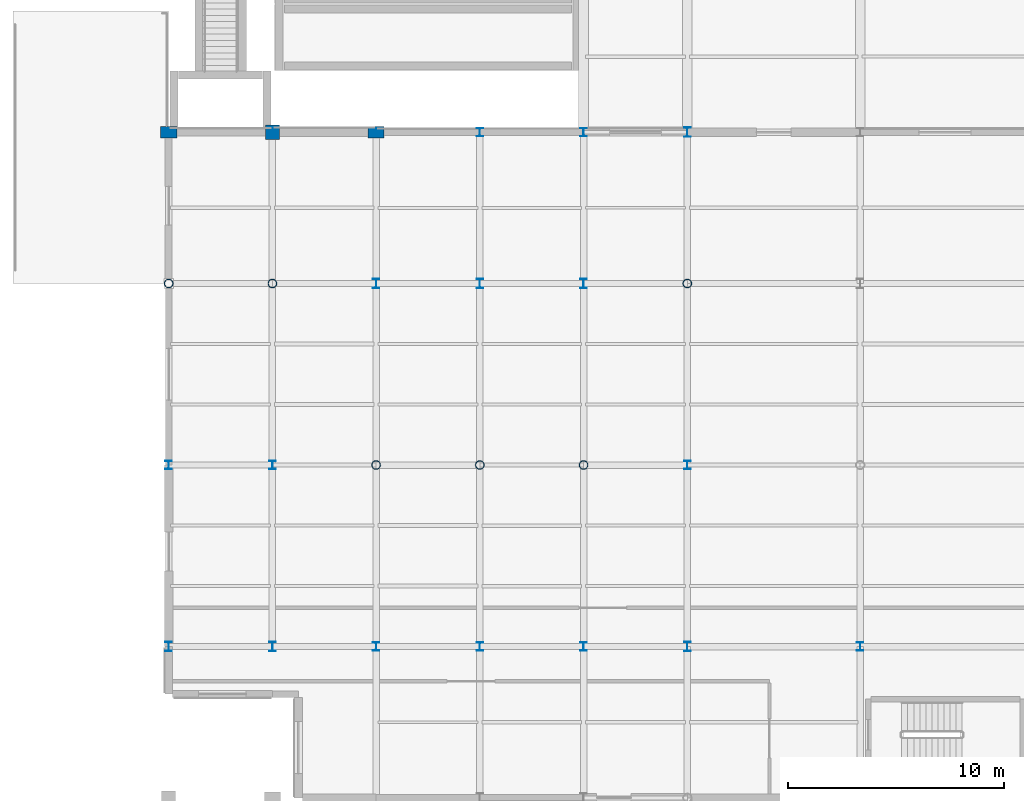
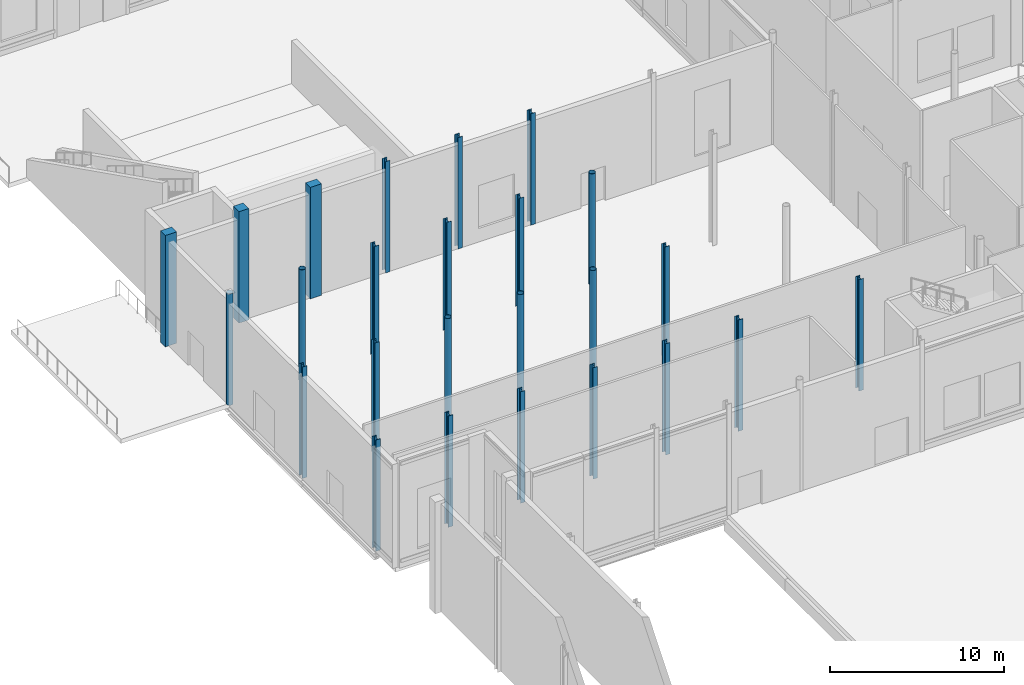
# One storey, part 8 of 176: 25 columns.
"""IFC4 building model written with IfcOpenShell, lengths in metres."""

from ifc_helpers import new_model, si_unit, direction, frame, origin, origin_2d, place, context, subcontext, project, spatial, rectangle, hollow_circle, i_section, extrude, material, material_profile, profile_set, type_object, element, save


model = new_model("IFC4")

# Units and contexts
model_context = context("Model", 3, precision=1e-05, world=origin(), true_north=direction((0.0, 1.0)))
body_context = subcontext(model_context, "Body", "Model", "MODEL_VIEW")
ifc_project = project(units=[si_unit("LENGTHUNIT", "METRE"), si_unit("AREAUNIT", "SQUARE_METRE"), si_unit("VOLUMEUNIT", "CUBIC_METRE"), si_unit("PLANEANGLEUNIT", "RADIAN"), si_unit("MASSUNIT", "GRAM", prefix="KILO")], contexts=[model_context])

# Site, building, storey
site_placement = place(None, origin())
site = spatial("IfcSite", under=ifc_project, at=site_placement, CompositionType="ELEMENT")
building_placement = place(site_placement, origin())
building = spatial("IfcBuilding", under=site, at=building_placement, Name="Vekula Escarpment Museum", CompositionType="ELEMENT")
storey_placement = place(building_placement, origin())
storey = spatial("IfcBuildingStorey", under=building, at=storey_placement, Name="L01", CompositionType="ELEMENT", Elevation=0.0)

# Columns
ifc_material_1 = material(Name="Steel S355", Category="steel")
ifc_material_profile_1 = material_profile(ifc_material_1, hollow_circle(Radius=0.203125, WallThickness=0.02001953125, at=origin_2d()), Name="CHS 406.4x20")
ifc_profile_set_1 = profile_set([ifc_material_profile_1], Name="Steel S355")
column_type_1 = type_object("IfcColumnType", Name="COL-S-CHS406", PredefinedType="COLUMN", material=ifc_profile_set_1)
for number, where, z_axis, x_axis, name in (
    (1, (0.0, 76.39990234375, 0.0), (0.0, 0.0, 1.0), (1.0, 0.0, 0.0), "Column L01 (0.0,76.4)"),
    (2, (4.800048828125, 76.39990234375, 0.0), (0.0, 0.0, 1.0), (1.0, 0.0, 0.0), "Column L01 (4.8,76.4)"),
    (3, (9.60009765625, 68.0, 0.0), (0.0, 0.0, 1.0), (1.0, 0.0, 0.0), "Column L01 (9.6,68.0)"),
    (4, (14.39990234375, 68.0, 0.0), (0.0, 0.0, 1.0), (1.0, 0.0, 0.0), "Column L01 (14.4,68.0)"),
    (5, (19.199951171875, 68.0, 0.0), (0.0, 0.0, 1.0), (1.0, 0.0, 0.0), "Column L01 (19.2,68.0)"),
    (6, (24.0, 76.39990234375, 0.0), (0.0, 0.0, 1.0), (1.0, 0.0, 0.0), "Column L01 (24.0,76.4)"),
):
    element("IfcColumn", number, at=place(storey_placement, frame(where, z_axis=z_axis, x_axis=x_axis)), inside=storey, type_object=column_type_1, Name=name, PredefinedType="COLUMN", context=body_context, shape_type="SweptSolid", body=[
        extrude(hollow_circle(Radius=0.203125, WallThickness=0.02001953125, at=origin_2d()), origin(), (0.0, 0.0, 1.0), 7.800048828125),
    ])
ifc_material_2 = material(Name="Steel S355", Category="steel")
ifc_material_profile_2 = material_profile(ifc_material_2, i_section(OverallWidth=0.300048828125, OverallDepth=0.389892578125, WebThickness=0.010986328125, FlangeThickness=0.01904296875, FilletRadius=0.027099609375, at=origin_2d()), Name="HEA 400")
ifc_profile_set_2 = profile_set([ifc_material_profile_2], Name="Steel S355")
column_type_2 = type_object("IfcColumnType", Name="COL-S-HEA400", PredefinedType="COLUMN", material=ifc_profile_set_2)
for number, where, z_axis, x_axis, name in (
    (7, (0.0, 68.0, 0.0), (0.0, 0.0, 1.0), (1.0, 0.0, 0.0), "Column L01 (0.0,68.0)"),
    (8, (4.800048828125, 68.0, 0.0), (0.0, 0.0, 1.0), (1.0, 0.0, 0.0), "Column L01 (4.8,68.0)"),
    (9, (9.60009765625, 59.60009765625, 0.0), (0.0, 0.0, 1.0), (1.0, 0.0, 0.0), "Column L01 (9.6,59.6)"),
    (10, (14.39990234375, 59.60009765625, 0.0), (0.0, 0.0, 1.0), (1.0, 0.0, 0.0), "Column L01 (14.4,59.6)"),
    (11, (14.39990234375, 83.39990234375, 0.0), (0.0, 0.0, 1.0), (1.0, 0.0, 0.0), "Column L01 (14.4,83.4)"),
    (12, (19.199951171875, 59.60009765625, 0.0), (0.0, 0.0, 1.0), (1.0, 0.0, 0.0), "Column L01 (19.2,59.6)"),
    (13, (19.199951171875, 83.39990234375, 0.0), (0.0, 0.0, 1.0), (1.0, 0.0, 0.0), "Column L01 (19.2,83.4)"),
    (14, (24.0, 68.0, 0.0), (0.0, 0.0, 1.0), (1.0, 0.0, 0.0), "Column L01 (24.0,68.0)"),
    (15, (32.0, 59.60009765625, 0.0), (0.0, 0.0, 1.0), (1.0, 0.0, 0.0), "Column L01 (32.0,59.6)"),
):
    element("IfcColumn", number, at=place(storey_placement, frame(where, z_axis=z_axis, x_axis=x_axis)), inside=storey, type_object=column_type_2, Name=name, PredefinedType="COLUMN", context=body_context, shape_type="SweptSolid", body=[
        extrude(i_section(OverallWidth=0.300048828125, OverallDepth=0.389892578125, WebThickness=0.010986328125, FlangeThickness=0.01904296875, FilletRadius=0.027099609375, at=origin_2d()), origin(), (0.0, 0.0, 1.0), 7.800048828125),
    ])
ifc_material_3 = material(Name="Steel S355", Category="steel")
ifc_material_profile_3 = material_profile(ifc_material_3, i_section(OverallWidth=0.300048828125, OverallDepth=0.43994140625, WebThickness=0.011474609375, FlangeThickness=0.02099609375, FilletRadius=0.027099609375, at=origin_2d()), Name="HEA 450")
ifc_profile_set_3 = profile_set([ifc_material_profile_3], Name="Steel S355")
column_type_3 = type_object("IfcColumnType", Name="COL-S-HEA450", PredefinedType="COLUMN", material=ifc_profile_set_3)
for number, where, z_axis, x_axis, name in (
    (16, (0.0, 59.60009765625, 0.0), (0.0, 0.0, 1.0), (1.0, 0.0, 0.0), "Column L01 (0.0,59.6)"),
    (17, (4.800048828125, 59.60009765625, 0.0), (0.0, 0.0, 1.0), (1.0, 0.0, 0.0), "Column L01 (4.8,59.6)"),
    (18, (9.60009765625, 76.39990234375, 0.0), (0.0, 0.0, 1.0), (1.0, 0.0, 0.0), "Column L01 (9.6,76.4)"),
    (19, (14.39990234375, 76.39990234375, 0.0), (0.0, 0.0, 1.0), (1.0, 0.0, 0.0), "Column L01 (14.4,76.4)"),
    (20, (19.199951171875, 76.39990234375, 0.0), (0.0, 0.0, 1.0), (1.0, 0.0, 0.0), "Column L01 (19.2,76.4)"),
    (21, (24.0, 59.60009765625, 0.0), (0.0, 0.0, 1.0), (1.0, 0.0, 0.0), "Column L01 (24.0,59.6)"),
    (22, (24.0, 83.39990234375, 0.0), (0.0, 0.0, 1.0), (1.0, 0.0, 0.0), "Column L01 (24.0,83.4)"),
):
    element("IfcColumn", number, at=place(storey_placement, frame(where, z_axis=z_axis, x_axis=x_axis)), inside=storey, type_object=column_type_3, Name=name, PredefinedType="COLUMN", context=body_context, shape_type="SweptSolid", body=[
        extrude(i_section(OverallWidth=0.300048828125, OverallDepth=0.43994140625, WebThickness=0.011474609375, FlangeThickness=0.02099609375, FilletRadius=0.027099609375, at=origin_2d()), origin(), (0.0, 0.0, 1.0), 7.800048828125),
    ])
ifc_material_4 = material(Name="Inkisi arkosic sandstone masonry", Category="masonry")
ifc_material_profile_4 = material_profile(ifc_material_4, rectangle(XDim=0.64990234375, YDim=0.64990234375, at=origin_2d()), Name="PIER 650x650")
ifc_profile_set_4 = profile_set([ifc_material_profile_4], Name="Inkisi arkosic sandstone masonry")
column_type_4 = type_object("IfcColumnType", Name="PIL-ALM-650", PredefinedType="PILASTER", material=ifc_profile_set_4)
column_placement = place(storey_placement, frame((4.800048828125, 83.39990234375, 0.0), z_axis=(0.0, 0.0, 1.0), x_axis=(1.0, 0.0, 0.0)))
element("IfcColumn", 23, at=column_placement, inside=storey, type_object=column_type_4, Name="Column L01 (4.8,83.4)", PredefinedType="PILASTER", context=body_context, shape_type="SweptSolid", body=[
    extrude(rectangle(XDim=0.64990234375, YDim=0.64990234375, at=origin_2d()), origin(), (0.0, 0.0, 1.0), 7.800048828125),
])
ifc_material_5 = material(Name="Inkisi arkosic sandstone masonry", Category="masonry")
ifc_material_profile_5 = material_profile(ifc_material_5, rectangle(XDim=0.75, YDim=0.550048828125, at=origin_2d()), Name="PIER 750x550")
ifc_profile_set_5 = profile_set([ifc_material_profile_5], Name="Inkisi arkosic sandstone masonry")
column_type_5 = type_object("IfcColumnType", Name="PIL-ALM-750", PredefinedType="PILASTER", material=ifc_profile_set_5)
for number, where, z_axis, x_axis, name in (
    (24, (0.0, 83.39990234375, 0.0), (0.0, 0.0, 1.0), (1.0, 0.0, 0.0), "Column L01 (0.0,83.4)"),
    (25, (9.60009765625, 83.39990234375, 0.0), (0.0, 0.0, 1.0), (1.0, 0.0, 0.0), "Column L01 (9.6,83.4)"),
):
    element("IfcColumn", number, at=place(storey_placement, frame(where, z_axis=z_axis, x_axis=x_axis)), inside=storey, type_object=column_type_5, Name=name, PredefinedType="PILASTER", context=body_context, shape_type="SweptSolid", body=[
        extrude(rectangle(XDim=0.75, YDim=0.550048828125, at=origin_2d()), origin(), (0.0, 0.0, 1.0), 7.800048828125),
    ])

save(model, "model.ifc")
